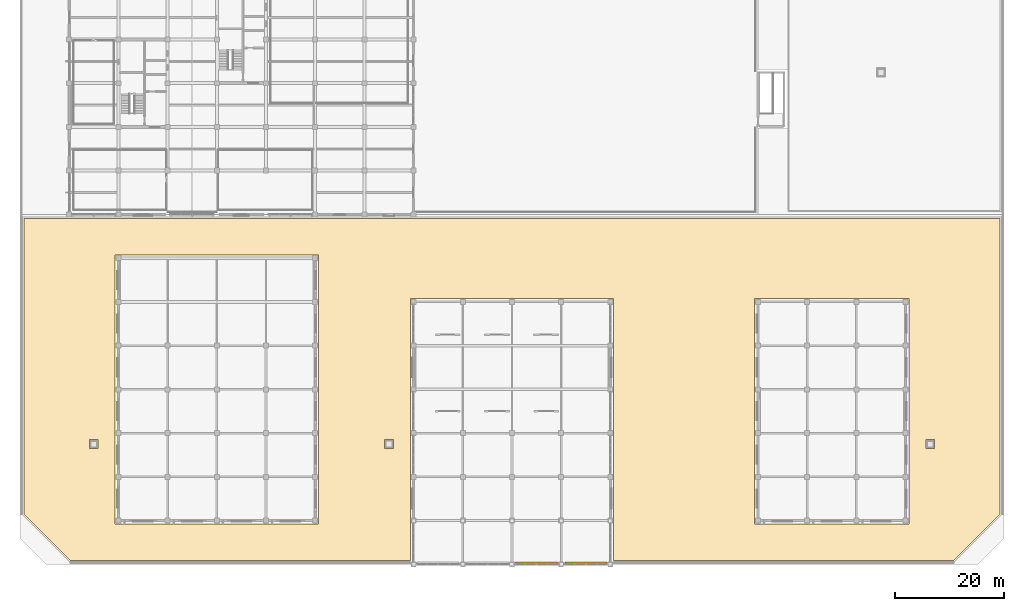
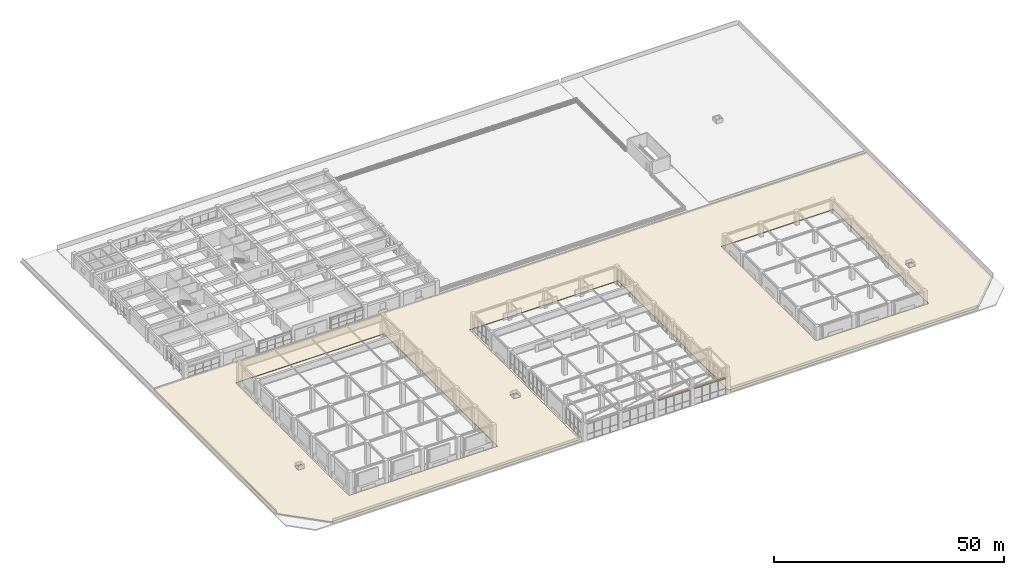
# One storey, part 31 of 34: 2 shading devices, 1 covering.
"""IFC4 building model written with IfcOpenShell, lengths in metres."""

from ifc_helpers import new_model, si_unit, direction, frame, frame_2d, origin, place, context, subcontext, project, spatial, polyline, rectangle, outline, extrude, material, layer, layer_set, type_object, element, save


model = new_model("IFC4")

# Units and contexts
model_context = context("Model", 3, precision=1e-05, world=origin(), true_north=direction((0.0, 1.0)))
body_context = subcontext(model_context, "Body", "Model", "MODEL_VIEW")
ifc_project = project(units=[si_unit("LENGTHUNIT", "METRE"), si_unit("AREAUNIT", "SQUARE_METRE"), si_unit("VOLUMEUNIT", "CUBIC_METRE"), si_unit("PLANEANGLEUNIT", "RADIAN"), si_unit("MASSUNIT", "GRAM", prefix="KILO")], contexts=[model_context])

# Site, building, storey
site_placement = place(None, origin())
site = spatial("IfcSite", under=ifc_project, at=site_placement, CompositionType="ELEMENT")
building_placement = place(site_placement, origin())
building = spatial("IfcBuilding", under=site, at=building_placement, Name="Zaverband Oceanarium and Marine Research Institute", CompositionType="ELEMENT")
storey_placement = place(building_placement, frame((0.0, 0.0, 18.0)))
storey = spatial("IfcBuildingStorey", under=building, at=storey_placement, Name="L04", CompositionType="ELEMENT", Elevation=18.0)

# Covering
ifc_material_1 = material(Name="TPO reflective membrane over rigid PIR roof insulation")
ifc_layer_1 = layer(ifc_material_1, 0.159912109375, Name="TPO reflective membrane over rigid PIR roof insulation")
ifc_layer_set_1 = layer_set([ifc_layer_1], Name="TPO reflective membrane over rigid PIR roof insulation")
covering_type = type_object("IfcCoveringType", Name="COV-ROOF-160", PredefinedType="ROOFING", material=ifc_layer_set_1)
covering_placement = place(storey_placement, frame((0.0, 0.0, 0.010009765625)))
element("IfcCovering", 1, at=covering_placement, inside=storey, type_object=covering_type, Name="Insulated coastal membrane roofing COV-ROOF-160", PredefinedType="ROOFING", context=body_context, shape_type="SweptSolid", body=[
    extrude(outline(polyline([(9.199951171875, 0.699951171875), (0.699951171875, 9.199951171875), (0.699951171875, 63.300048828125), (179.300048828125, 63.300048828125), (179.300048828125, 9.199951171875), (170.800048828125, 0.699951171875), (108.60009765625, 0.699951171875), (108.60009765625, 48.60009765625), (71.39990234375, 48.60009765625), (71.39990234375, 0.699951171875), (9.199951171875, 0.699951171875)]), holes=[polyline([(12.699951171875, 22.800048828125), (12.699951171875, 21.199951171875), (14.300048828125, 21.199951171875), (14.300048828125, 22.800048828125), (12.699951171875, 22.800048828125)]), polyline([(68.35009765625, 22.85009765625), (66.64990234375, 22.85009765625), (66.64990234375, 21.14990234375), (68.35009765625, 21.14990234375), (68.35009765625, 22.85009765625)]), polyline([(167.300048828125, 22.800048828125), (165.699951171875, 22.800048828125), (165.699951171875, 21.199951171875), (167.300048828125, 21.199951171875), (167.300048828125, 22.800048828125)]), polyline([(162.60009765625, 48.60009765625), (134.39990234375, 48.60009765625), (134.39990234375, 7.39990234375), (162.60009765625, 7.39990234375), (162.60009765625, 48.60009765625)]), polyline([(54.60009765625, 56.60009765625), (17.39990234375, 56.60009765625), (17.39990234375, 7.39990234375), (54.60009765625, 7.39990234375), (54.60009765625, 56.60009765625)])]), origin(), (0.0, 0.0, 1.0), 0.159912109375),
])

# Shading devices
ifc_material_2 = material(Name="Anodized bronze marine-grade aluminium", Category="aluminium")
ifc_layer_2 = layer(ifc_material_2, 0.080078125, Name="Anodized bronze marine-grade aluminium")
ifc_layer_set_2 = layer_set([ifc_layer_2], Name="Anodized bronze marine-grade aluminium")
shading_device_type = type_object("IfcShadingDeviceType", Name="SHD-LVR-450", PredefinedType="USERDEFINED", material=ifc_layer_set_2)
for number, where, z_axis, x_axis, name in (
    (2, (90.64990234375, 0.239990234375, 4.080078125), (0.0, 0.0, 1.0), (1.0, 0.0, 0.0), "450 mm horizontal solar shading louvre SHD-LVR-450"),
    (3, (99.64990234375, 0.239990234375, 4.080078125), (0.0, 0.0, 1.0), (1.0, 0.0, 0.0), "450 mm horizontal solar shading louvre SHD-LVR-450"),
):
    element("IfcShadingDevice", number, at=place(storey_placement, frame(where, z_axis=z_axis, x_axis=x_axis)), inside=storey, type_object=shading_device_type, Name=name, ObjectType="LOUVRE", PredefinedType="USERDEFINED", context=body_context, shape_type="SweptSolid", body=[
        extrude(rectangle(XDim=7.7001953125, YDim=0.449951171875, at=frame_2d((3.85009765625, 0.0))), origin(), (0.0, 0.0, 1.0), 0.079833984375),
    ])

save(model, "model.ifc")
